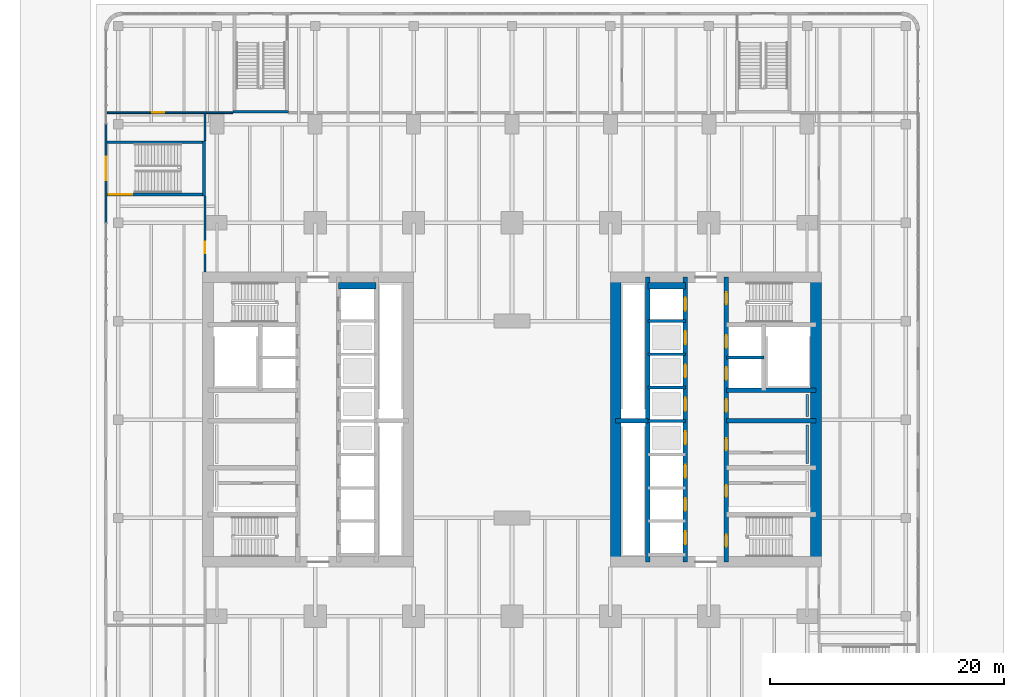
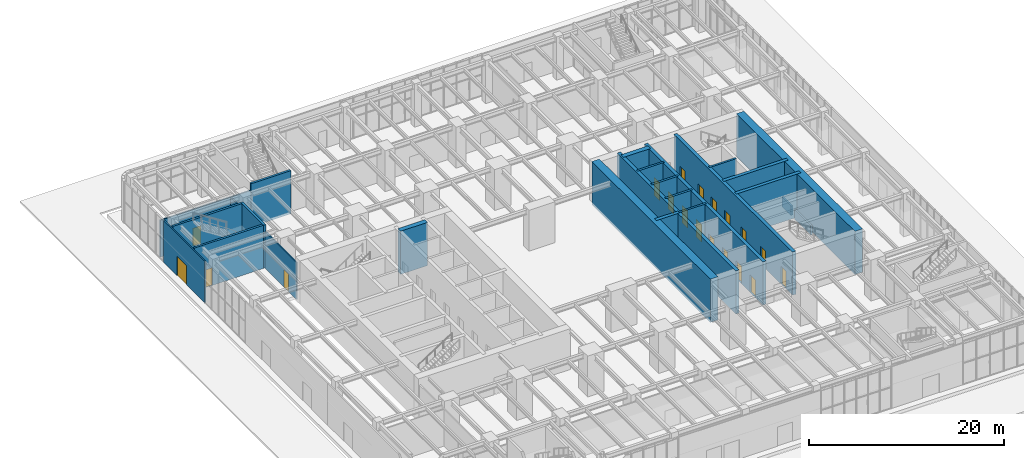
# One storey, part 20 of 31: 25 walls, 19 doors, 19 openings.
"""IFC4 building model written with IfcOpenShell, lengths in metres."""

from ifc_helpers import new_model, si_unit, direction, frame, frame_2d, origin, place, context, subcontext, project, spatial, rectangle, extrude, material, layer, layer_set, type_object, element, fill, save


model = new_model("IFC4")

# Units and contexts
model_context = context("Model", 3, precision=1e-05, world=origin(), true_north=direction((0.0, 1.0)))
body_context = subcontext(model_context, "Body", "Model", "MODEL_VIEW")
ifc_project = project(units=[si_unit("LENGTHUNIT", "METRE"), si_unit("AREAUNIT", "SQUARE_METRE"), si_unit("VOLUMEUNIT", "CUBIC_METRE"), si_unit("PLANEANGLEUNIT", "RADIAN"), si_unit("MASSUNIT", "GRAM", prefix="KILO")], contexts=[model_context])

# Site, building, storey
site_placement = place(None, origin())
site = spatial("IfcSite", under=ifc_project, at=site_placement, CompositionType="ELEMENT")
building_placement = place(site_placement, origin())
building = spatial("IfcBuilding", under=site, at=building_placement, Name="Claustro Exchange Tower", CompositionType="ELEMENT")
storey_placement = place(building_placement, origin())
storey = spatial("IfcBuildingStorey", under=building, at=storey_placement, Name="L00", CompositionType="ELEMENT", Elevation=0.0)

# Wall, opening, door
ifc_material_1 = material(Name="Aluminium frame, clear double glazing", Category="aluminium")
ifc_layer_1 = layer(ifc_material_1, 0.14990234375)
ifc_layer_set_1 = layer_set([ifc_layer_1], Name="Aluminium frame, clear double glazing")
wall_type_1 = type_object("IfcWallType", Name="GS1 150 glazed entrance screen", PredefinedType="SOLIDWALL", material=ifc_layer_set_1)
wall_1_placement = place(storey_placement, frame((-9.449951171875, 42.0, 0.0), z_axis=(0.0, 0.0, 1.0), x_axis=(0.0, 1.0, 0.0)))
wall_1 = element("IfcWall", 1, at=wall_1_placement, inside=storey, type_object=wall_type_1, Name="Entrance screen GS1 L00", PredefinedType="SOLIDWALL", context=body_context, shape_type="SweptSolid", body=[
    extrude(rectangle(XDim=8.39990234375, YDim=0.14990234375, at=frame_2d((4.199951171875, 0.0))), origin(), (0.0, 0.0, 1.0), 5.199951171875),
])
opening_1_placement = place(wall_1_placement, frame((3.64990234375, 0.0, 0.0)))
opening_1 = element("IfcOpeningElement", 2, at=opening_1_placement, cuts=wall_1, Name="Opening DE5", PredefinedType="OPENING", context=body_context, shape_type="SweptSolid", body=[
    extrude(rectangle(XDim=2.0, YDim=2.39990234375, at=frame_2d((1.0, 1.199951171875))), frame((0.0, 0.0849609375, 0.0), z_axis=(0.0, -1.0, 0.0), x_axis=(1.0, 0.0, 0.0)), (0.0, 0.0, 1.0), 0.169921875),
])
ifc_material_2 = material(Name="Steel door, painted", Category="steel")
door_type_1 = type_object("IfcDoorType", Name="DE5 2000 x 2400 external final exit double door", OperationType="DOUBLE_DOOR_SINGLE_SWING", PredefinedType="DOOR", material=ifc_material_2)
door_1_placement = place(opening_1_placement, origin())
door_1 = element("IfcDoor", 3, at=door_1_placement, inside=storey, type_object=door_type_1, Name="External door DE5 L00", OperationType="DOUBLE_DOOR_SINGLE_SWING", OverallHeight=2.39990234375, OverallWidth=2.0, PredefinedType="DOOR", context=body_context, shape_type="SweptSolid", body=[
    extrude(rectangle(XDim=2.0, YDim=2.39990234375, at=frame_2d((1.0, 1.199951171875))), frame((0.0, 0.02490234375, 0.0), z_axis=(0.0, -1.0, 0.0), x_axis=(1.0, 0.0, 0.0)), (0.0, 0.0, 1.0), 0.050048828125),
])
fill(opening_1, door_1)

ifc_material_3 = material(Name="Gypsum board on steel studs", Category="steel")
ifc_layer_2 = layer(ifc_material_3, 0.14990234375)
ifc_layer_set_2 = layer_set([ifc_layer_2], Name="Gypsum board on steel studs")
wall_type_2 = type_object("IfcWallType", Name="P1 150 plasterboard partition", PredefinedType="PARTITIONING", material=ifc_layer_set_2)
wall_2_placement = place(storey_placement, frame((-9.35009765625, 51.39990234375, 0.0), z_axis=(0.0, 0.0, 1.0), x_axis=(1.0, 0.0, 0.0)))
wall_2 = element("IfcWall", 4, at=wall_2_placement, inside=storey, type_object=wall_type_2, Name="Partition P1 L00", PredefinedType="PARTITIONING", context=body_context, shape_type="SweptSolid", body=[
    extrude(rectangle(XDim=10.72998046875, YDim=0.14990234375, at=frame_2d((5.364990234375, 0.0))), origin(), (0.0, 0.0, 1.0), 4.60009765625),
])
opening_2_placement = place(wall_2_placement, frame((3.85009765625, 0.0, 0.0)))
opening_2 = element("IfcOpeningElement", 5, at=opening_2_placement, cuts=wall_2, Name="Opening D1", PredefinedType="OPENING", context=body_context, shape_type="SweptSolid", body=[
    extrude(rectangle(XDim=1.0, YDim=2.199951171875, at=frame_2d((0.5, 1.10009765625))), frame((0.0, 0.0849609375, 0.0), z_axis=(0.0, -1.0, 0.0), x_axis=(1.0, 0.0, 0.0)), (0.0, 0.0, 1.0), 0.169921875),
])
ifc_material_4 = material(Name="Timber door, oak veneer", Category="wood")
door_type_2 = type_object("IfcDoorType", Name="D1 1000 x 2200 single door", OperationType="SINGLE_SWING_LEFT", PredefinedType="DOOR", material=ifc_material_4)
door_2_placement = place(opening_2_placement, origin())
door_2 = element("IfcDoor", 6, at=door_2_placement, inside=storey, type_object=door_type_2, Name="Door D1 L00", OperationType="SINGLE_SWING_LEFT", OverallHeight=2.199951171875, OverallWidth=1.0, PredefinedType="DOOR", context=body_context, shape_type="SweptSolid", body=[
    extrude(rectangle(XDim=1.0, YDim=2.199951171875, at=frame_2d((0.5, 1.10009765625))), frame((0.0, 0.02490234375, 0.0), z_axis=(0.0, -1.0, 0.0), x_axis=(1.0, 0.0, 0.0)), (0.0, 0.0, 1.0), 0.050048828125),
])
fill(opening_2, door_2)

wall_3_placement = place(storey_placement, frame((-1.0, 37.800048828125, 0.0), z_axis=(0.0, 0.0, 1.0), x_axis=(0.0, 1.0, 0.0)))
wall_3 = element("IfcWall", 7, at=wall_3_placement, inside=storey, type_object=wall_type_2, Name="Partition P1 L00", PredefinedType="PARTITIONING", context=body_context, shape_type="SweptSolid", body=[
    extrude(rectangle(XDim=6.47998046875, YDim=0.14990234375, at=frame_2d((3.239990234375, 0.0))), origin(), (0.0, 0.0, 1.0), 4.60009765625),
])
opening_3_placement = place(wall_3_placement, frame((1.60009765625, 0.0, 0.0)))
opening_3 = element("IfcOpeningElement", 8, at=opening_3_placement, cuts=wall_3, Name="Opening D1", PredefinedType="OPENING", context=body_context, shape_type="SweptSolid", body=[
    extrude(rectangle(XDim=1.0, YDim=2.199951171875, at=frame_2d((0.5, 1.10009765625))), frame((0.0, 0.0849609375, 0.0), z_axis=(0.0, -1.0, 0.0), x_axis=(1.0, 0.0, 0.0)), (0.0, 0.0, 1.0), 0.169921875),
])
door_3_placement = place(opening_3_placement, frame((1.0, 0.0, 0.0), z_axis=(0.0, 0.0, 1.0), x_axis=(-1.0, 0.0, 0.0)))
door_3 = element("IfcDoor", 9, at=door_3_placement, inside=storey, type_object=door_type_2, Name="Door D1 L00", OperationType="SINGLE_SWING_RIGHT", OverallHeight=2.199951171875, OverallWidth=1.0, PredefinedType="DOOR", context=body_context, shape_type="SweptSolid", body=[
    extrude(rectangle(XDim=1.0, YDim=2.199951171875, at=frame_2d((0.5, 1.10009765625))), frame((0.0, 0.02490234375, 0.0), z_axis=(0.0, -1.0, 0.0), x_axis=(1.0, 0.0, 0.0)), (0.0, 0.0, 1.0), 0.050048828125),
])
fill(opening_3, door_3)

# Walls
wall_4_placement = place(storey_placement, frame((-1.0, 49.02001953125, 0.0), z_axis=(0.0, 0.0, 1.0), x_axis=(0.0, 1.0, 0.0)))
element("IfcWall", 10, at=wall_4_placement, inside=storey, type_object=wall_type_2, Name="Partition P1 L00", PredefinedType="PARTITIONING", context=body_context, shape_type="SweptSolid", body=[
    extrude(rectangle(XDim=2.305908203125, YDim=0.14990234375, at=frame_2d((1.15283203125, 0.0))), origin(), (0.0, 0.0, 1.0), 4.60009765625),
])
ifc_material_5 = material(Name="Gypsum board on steel studs, tiled", Category="steel")
ifc_layer_3 = layer(ifc_material_5, 0.199951171875)
ifc_layer_set_3 = layer_set([ifc_layer_3], Name="Gypsum board on steel studs, tiled")
wall_type_3 = type_object("IfcWallType", Name="PW1 200 WC duct wall", PredefinedType="PLUMBINGWALL", material=ifc_layer_set_3)
wall_5_placement = place(storey_placement, frame((50.39990234375, 21.449951171875, 0.0), z_axis=(0.0, 0.0, 1.0), x_axis=(0.0, 1.0, 0.0)))
element("IfcWall", 11, at=wall_5_placement, inside=storey, type_object=wall_type_3, Name="WC duct wall PW1 L00", PredefinedType="PLUMBINGWALL", context=body_context, shape_type="SweptSolid", body=[
    extrude(rectangle(XDim=3.300048828125, YDim=0.199951171875, at=frame_2d((1.64990234375, 0.0))), origin(), (0.0, 0.0, 1.0), 1.199951171875),
])
wall_6_placement = place(storey_placement, frame((50.39990234375, 25.449951171875, 0.0), z_axis=(0.0, 0.0, 1.0), x_axis=(0.0, 1.0, 0.0)))
element("IfcWall", 12, at=wall_6_placement, inside=storey, type_object=wall_type_3, Name="WC duct wall PW1 L00", PredefinedType="PLUMBINGWALL", context=body_context, shape_type="SweptSolid", body=[
    extrude(rectangle(XDim=1.900146484375, YDim=0.199951171875, at=frame_2d((0.9501953125, 0.0))), origin(), (0.0, 0.0, 1.0), 1.199951171875),
])
ifc_material_6 = material(Name="Concrete HA-70 (C70/85)", Category="concrete")
ifc_layer_4 = layer(ifc_material_6, 0.89990234375)
ifc_layer_set_4 = layer_set([ifc_layer_4], Name="Concrete HA-70 (C70/85)")
wall_type_4 = type_object("IfcWallType", Name="SW1X 900 exposed core shear wall, board-marked face", PredefinedType="SHEAR", material=ifc_layer_set_4)
for number, where, z_axis, x_axis, name in (
    (13, (34.050048828125, 13.050048828125, 0.0), (0.0, 0.0, 1.0), (0.0, 1.0, 0.0), "Core wall SW1X E core W face L00"),
    (14, (51.14990234375, 13.050048828125, 0.0), (0.0, 0.0, 1.0), (0.0, 1.0, 0.0), "Core wall SW1X E core E face L00"),
):
    element("IfcWall", number, at=place(storey_placement, frame(where, z_axis=z_axis, x_axis=x_axis)), inside=storey, type_object=wall_type_4, Name=name, PredefinedType="SHEAR", context=body_context, shape_type="SweptSolid", body=[
        extrude(rectangle(XDim=24.300048828125, YDim=0.89990234375, at=frame_2d((12.14990234375, 0.0))), origin(), (0.0, 0.0, 1.0), 5.39990234375),
    ])

# Wall, openings, doors
ifc_material_7 = material(Name="Concrete HA-50 (C50/60)", Category="concrete")
ifc_layer_5 = layer(ifc_material_7, 0.39990234375)
ifc_layer_set_5 = layer_set([ifc_layer_5], Name="Concrete HA-50 (C50/60)")
wall_type_5 = type_object("IfcWallType", Name="SW4 400 internal core wall", PredefinedType="SHEAR", material=ifc_layer_set_5)
wall_7_placement = place(storey_placement, frame((43.5, 13.050048828125, 0.0), z_axis=(0.0, 0.0, 1.0), x_axis=(0.0, 1.0, 0.0)))
wall_7 = element("IfcWall", 15, at=wall_7_placement, inside=storey, type_object=wall_type_5, Name="Internal core wall SW4 E core L00", PredefinedType="SHEAR", context=body_context, shape_type="SweptSolid", body=[
    extrude(rectangle(XDim=24.300048828125, YDim=0.39990234375, at=frame_2d((12.14990234375, 0.0))), origin(), (0.0, 0.0, 1.0), 5.39990234375),
])
opening_4_placement = place(wall_7_placement, frame((1.300048828125, 0.0, 0.0)))
opening_4 = element("IfcOpeningElement", 16, at=opening_4_placement, cuts=wall_7, Name="Opening D4", PredefinedType="OPENING", context=body_context, shape_type="SweptSolid", body=[
    extrude(rectangle(XDim=1.0, YDim=2.199951171875, at=frame_2d((0.5, 1.10009765625))), frame((0.0, 0.2099609375, 0.0), z_axis=(0.0, -1.0, 0.0), x_axis=(1.0, 0.0, 0.0)), (0.0, 0.0, 1.0), 0.419921875),
])
opening_5_placement = place(wall_7_placement, frame((22.0, 0.0, 0.0)))
opening_5 = element("IfcOpeningElement", 17, at=opening_5_placement, cuts=wall_7, Name="Opening D4", PredefinedType="OPENING", context=body_context, shape_type="SweptSolid", body=[
    extrude(rectangle(XDim=1.0, YDim=2.199951171875, at=frame_2d((0.5, 1.10009765625))), frame((0.0, 0.2099609375, 0.0), z_axis=(0.0, -1.0, 0.0), x_axis=(1.0, 0.0, 0.0)), (0.0, 0.0, 1.0), 0.419921875),
])
opening_6_placement = place(wall_7_placement, frame((5.550048828125, 0.0, 0.0)))
opening_6 = element("IfcOpeningElement", 18, at=opening_6_placement, cuts=wall_7, Name="Opening D1", PredefinedType="OPENING", context=body_context, shape_type="SweptSolid", body=[
    extrude(rectangle(XDim=1.0, YDim=2.199951171875, at=frame_2d((0.5, 1.10009765625))), frame((0.0, 0.2099609375, 0.0), z_axis=(0.0, -1.0, 0.0), x_axis=(1.0, 0.0, 0.0)), (0.0, 0.0, 1.0), 0.419921875),
])
opening_7_placement = place(wall_7_placement, frame((9.550048828125, 0.0, 0.0)))
opening_7 = element("IfcOpeningElement", 19, at=opening_7_placement, cuts=wall_7, Name="Opening D1", PredefinedType="OPENING", context=body_context, shape_type="SweptSolid", body=[
    extrude(rectangle(XDim=1.0, YDim=2.199951171875, at=frame_2d((0.5, 1.10009765625))), frame((0.0, 0.2099609375, 0.0), z_axis=(0.0, -1.0, 0.0), x_axis=(1.0, 0.0, 0.0)), (0.0, 0.0, 1.0), 0.419921875),
])
opening_8_placement = place(wall_7_placement, frame((12.800048828125, 0.0, 0.0)))
opening_8 = element("IfcOpeningElement", 20, at=opening_8_placement, cuts=wall_7, Name="Opening D10", PredefinedType="OPENING", context=body_context, shape_type="SweptSolid", body=[
    extrude(rectangle(XDim=1.10009765625, YDim=2.199951171875, at=frame_2d((0.550048828125, 1.10009765625))), frame((0.0, 0.2099609375, 0.0), z_axis=(0.0, -1.0, 0.0), x_axis=(1.0, 0.0, 0.0)), (0.0, 0.0, 1.0), 0.419921875),
])
opening_9_placement = place(wall_7_placement, frame((15.53759765625, 0.0, 0.0)))
opening_9 = element("IfcOpeningElement", 21, at=opening_9_placement, cuts=wall_7, Name="Opening LD", PredefinedType="OPENING", context=body_context, shape_type="SweptSolid", body=[
    extrude(rectangle(XDim=1.10009765625, YDim=2.199951171875, at=frame_2d((0.550048828125, 1.10009765625))), frame((0.0, 0.2099609375, 0.0), z_axis=(0.0, -1.0, 0.0), x_axis=(1.0, 0.0, 0.0)), (0.0, 0.0, 1.0), 0.419921875),
])
opening_10_placement = place(wall_7_placement, frame((18.262451171875, 0.0, 0.0)))
opening_10 = element("IfcOpeningElement", 22, at=opening_10_placement, cuts=wall_7, Name="Opening LD", PredefinedType="OPENING", context=body_context, shape_type="SweptSolid", body=[
    extrude(rectangle(XDim=1.10009765625, YDim=2.199951171875, at=frame_2d((0.550048828125, 1.10009765625))), frame((0.0, 0.2099609375, 0.0), z_axis=(0.0, -1.0, 0.0), x_axis=(1.0, 0.0, 0.0)), (0.0, 0.0, 1.0), 0.419921875),
])
door_4_placement = place(opening_6_placement, frame((1.0, 0.0, 0.0), z_axis=(0.0, 0.0, 1.0), x_axis=(-1.0, 0.0, 0.0)))
door_4 = element("IfcDoor", 23, at=door_4_placement, inside=storey, type_object=door_type_2, Name="Door D1 L00", OperationType="SINGLE_SWING_LEFT", OverallHeight=2.199951171875, OverallWidth=1.0, PredefinedType="DOOR", context=body_context, shape_type="SweptSolid", body=[
    extrude(rectangle(XDim=1.0, YDim=2.199951171875, at=frame_2d((0.5, 1.10009765625))), frame((0.0, 0.02490234375, 0.0), z_axis=(0.0, -1.0, 0.0), x_axis=(1.0, 0.0, 0.0)), (0.0, 0.0, 1.0), 0.050048828125),
])
fill(opening_6, door_4)
door_5_placement = place(opening_7_placement, frame((1.0, 0.0, 0.0), z_axis=(0.0, 0.0, 1.0), x_axis=(-1.0, 0.0, 0.0)))
door_5 = element("IfcDoor", 24, at=door_5_placement, inside=storey, type_object=door_type_2, Name="Door D1 L00", OperationType="SINGLE_SWING_RIGHT", OverallHeight=2.199951171875, OverallWidth=1.0, PredefinedType="DOOR", context=body_context, shape_type="SweptSolid", body=[
    extrude(rectangle(XDim=1.0, YDim=2.199951171875, at=frame_2d((0.5, 1.10009765625))), frame((0.0, 0.02490234375, 0.0), z_axis=(0.0, -1.0, 0.0), x_axis=(1.0, 0.0, 0.0)), (0.0, 0.0, 1.0), 0.050048828125),
])
fill(opening_7, door_5)
ifc_material_8 = material(Name="Timber door, oak veneer", Category="wood")
door_type_3 = type_object("IfcDoorType", Name="D10 1100 x 2200 accessible WC door", OperationType="SINGLE_SWING_LEFT", PredefinedType="DOOR", material=ifc_material_8)
door_6_placement = place(opening_8_placement, origin())
door_6 = element("IfcDoor", 25, at=door_6_placement, inside=storey, type_object=door_type_3, Name="Accessible WC door D10 L00", OperationType="SINGLE_SWING_RIGHT", OverallHeight=2.199951171875, OverallWidth=1.10009765625, PredefinedType="DOOR", context=body_context, shape_type="SweptSolid", body=[
    extrude(rectangle(XDim=1.10009765625, YDim=2.199951171875, at=frame_2d((0.550048828125, 1.10009765625))), frame((0.0, 0.02490234375, 0.0), z_axis=(0.0, -1.0, 0.0), x_axis=(1.0, 0.0, 0.0)), (0.0, 0.0, 1.0), 0.050048828125),
])
fill(opening_8, door_6)
ifc_material_9 = material(Name="Steel fire door, painted", Category="steel")
door_type_4 = type_object("IfcDoorType", Name="D4 1000 x 2200 fire-rated stair door", OperationType="SINGLE_SWING_LEFT", PredefinedType="DOOR", material=ifc_material_9)
door_7_placement = place(opening_4_placement, origin())
door_7 = element("IfcDoor", 26, at=door_7_placement, inside=storey, type_object=door_type_4, Name="Stair door D4 L00", OperationType="SINGLE_SWING_LEFT", OverallHeight=2.199951171875, OverallWidth=1.0, PredefinedType="DOOR", context=body_context, shape_type="SweptSolid", body=[
    extrude(rectangle(XDim=1.0, YDim=2.199951171875, at=frame_2d((0.5, 1.10009765625))), frame((0.0, 0.02490234375, 0.0), z_axis=(0.0, -1.0, 0.0), x_axis=(1.0, 0.0, 0.0)), (0.0, 0.0, 1.0), 0.050048828125),
])
fill(opening_4, door_7)
door_8_placement = place(opening_5_placement, origin())
door_8 = element("IfcDoor", 27, at=door_8_placement, inside=storey, type_object=door_type_4, Name="Stair door D4 L00", OperationType="SINGLE_SWING_RIGHT", OverallHeight=2.199951171875, OverallWidth=1.0, PredefinedType="DOOR", context=body_context, shape_type="SweptSolid", body=[
    extrude(rectangle(XDim=1.0, YDim=2.199951171875, at=frame_2d((0.5, 1.10009765625))), frame((0.0, 0.02490234375, 0.0), z_axis=(0.0, -1.0, 0.0), x_axis=(1.0, 0.0, 0.0)), (0.0, 0.0, 1.0), 0.050048828125),
])
fill(opening_5, door_8)
ifc_material_10 = material(Name="Stainless steel sliding door", Category="steel")
door_type_5 = type_object("IfcDoorType", Name="LD 1100 x 2200 lift landing door", OperationType="DOUBLE_DOOR_SLIDING", PredefinedType="DOOR", material=ifc_material_10)
door_9_placement = place(opening_9_placement, origin())
door_9 = element("IfcDoor", 28, at=door_9_placement, inside=storey, type_object=door_type_5, Name="Lift landing door LEE1 LD L00", OperationType="DOUBLE_DOOR_SLIDING", OverallHeight=2.199951171875, OverallWidth=1.10009765625, PredefinedType="DOOR", context=body_context, shape_type="SweptSolid", body=[
    extrude(rectangle(XDim=1.10009765625, YDim=2.199951171875, at=frame_2d((0.550048828125, 1.10009765625))), frame((0.0, 0.02490234375, 0.0), z_axis=(0.0, -1.0, 0.0), x_axis=(1.0, 0.0, 0.0)), (0.0, 0.0, 1.0), 0.050048828125),
])
fill(opening_9, door_9)
door_10_placement = place(opening_10_placement, origin())
door_10 = element("IfcDoor", 29, at=door_10_placement, inside=storey, type_object=door_type_5, Name="Lift landing door LEE2 LD L00", OperationType="DOUBLE_DOOR_SLIDING", OverallHeight=2.199951171875, OverallWidth=1.10009765625, PredefinedType="DOOR", context=body_context, shape_type="SweptSolid", body=[
    extrude(rectangle(XDim=1.10009765625, YDim=2.199951171875, at=frame_2d((0.550048828125, 1.10009765625))), frame((0.0, 0.02490234375, 0.0), z_axis=(0.0, -1.0, 0.0), x_axis=(1.0, 0.0, 0.0)), (0.0, 0.0, 1.0), 0.050048828125),
])
fill(opening_10, door_10)

wall_8_placement = place(storey_placement, frame((40.0, 13.050048828125, 0.0), z_axis=(0.0, 0.0, 1.0), x_axis=(0.0, 1.0, 0.0)))
wall_8 = element("IfcWall", 30, at=wall_8_placement, inside=storey, type_object=wall_type_5, Name="Internal core wall SW4 E core L00", PredefinedType="SHEAR", context=body_context, shape_type="SweptSolid", body=[
    extrude(rectangle(XDim=24.300048828125, YDim=0.39990234375, at=frame_2d((12.14990234375, 0.0))), origin(), (0.0, 0.0, 1.0), 5.39990234375),
])
opening_11_placement = place(wall_8_placement, frame((1.5, 0.0, 0.0)))
opening_11 = element("IfcOpeningElement", 31, at=opening_11_placement, cuts=wall_8, Name="Opening LD", PredefinedType="OPENING", context=body_context, shape_type="SweptSolid", body=[
    extrude(rectangle(XDim=1.10009765625, YDim=2.199951171875, at=frame_2d((0.550048828125, 1.10009765625))), frame((0.0, 0.2099609375, 0.0), z_axis=(0.0, -1.0, 0.0), x_axis=(1.0, 0.0, 0.0)), (0.0, 0.0, 1.0), 0.419921875),
])
opening_12_placement = place(wall_8_placement, frame((4.35009765625, 0.0, 0.0)))
opening_12 = element("IfcOpeningElement", 32, at=opening_12_placement, cuts=wall_8, Name="Opening LD", PredefinedType="OPENING", context=body_context, shape_type="SweptSolid", body=[
    extrude(rectangle(XDim=1.10009765625, YDim=2.199951171875, at=frame_2d((0.550048828125, 1.10009765625))), frame((0.0, 0.2099609375, 0.0), z_axis=(0.0, -1.0, 0.0), x_axis=(1.0, 0.0, 0.0)), (0.0, 0.0, 1.0), 0.419921875),
])
opening_13_placement = place(wall_8_placement, frame((7.199951171875, 0.0, 0.0)))
opening_13 = element("IfcOpeningElement", 33, at=opening_13_placement, cuts=wall_8, Name="Opening LD", PredefinedType="OPENING", context=body_context, shape_type="SweptSolid", body=[
    extrude(rectangle(XDim=1.10009765625, YDim=2.199951171875, at=frame_2d((0.550048828125, 1.10009765625))), frame((0.0, 0.2099609375, 0.0), z_axis=(0.0, -1.0, 0.0), x_axis=(1.0, 0.0, 0.0)), (0.0, 0.0, 1.0), 0.419921875),
])
opening_14_placement = place(wall_8_placement, frame((10.050048828125, 0.0, 0.0)))
opening_14 = element("IfcOpeningElement", 34, at=opening_14_placement, cuts=wall_8, Name="Opening LD", PredefinedType="OPENING", context=body_context, shape_type="SweptSolid", body=[
    extrude(rectangle(XDim=1.10009765625, YDim=2.199951171875, at=frame_2d((0.550048828125, 1.10009765625))), frame((0.0, 0.2099609375, 0.0), z_axis=(0.0, -1.0, 0.0), x_axis=(1.0, 0.0, 0.0)), (0.0, 0.0, 1.0), 0.419921875),
])
opening_15_placement = place(wall_8_placement, frame((12.89990234375, 0.0, 0.0)))
opening_15 = element("IfcOpeningElement", 35, at=opening_15_placement, cuts=wall_8, Name="Opening LD", PredefinedType="OPENING", context=body_context, shape_type="SweptSolid", body=[
    extrude(rectangle(XDim=1.10009765625, YDim=2.199951171875, at=frame_2d((0.550048828125, 1.10009765625))), frame((0.0, 0.2099609375, 0.0), z_axis=(0.0, -1.0, 0.0), x_axis=(1.0, 0.0, 0.0)), (0.0, 0.0, 1.0), 0.419921875),
])
opening_16_placement = place(wall_8_placement, frame((15.75, 0.0, 0.0)))
opening_16 = element("IfcOpeningElement", 36, at=opening_16_placement, cuts=wall_8, Name="Opening LD", PredefinedType="OPENING", context=body_context, shape_type="SweptSolid", body=[
    extrude(rectangle(XDim=1.10009765625, YDim=2.199951171875, at=frame_2d((0.550048828125, 1.10009765625))), frame((0.0, 0.2099609375, 0.0), z_axis=(0.0, -1.0, 0.0), x_axis=(1.0, 0.0, 0.0)), (0.0, 0.0, 1.0), 0.419921875),
])
opening_17_placement = place(wall_8_placement, frame((18.60009765625, 0.0, 0.0)))
opening_17 = element("IfcOpeningElement", 37, at=opening_17_placement, cuts=wall_8, Name="Opening LD", PredefinedType="OPENING", context=body_context, shape_type="SweptSolid", body=[
    extrude(rectangle(XDim=1.10009765625, YDim=2.199951171875, at=frame_2d((0.550048828125, 1.10009765625))), frame((0.0, 0.2099609375, 0.0), z_axis=(0.0, -1.0, 0.0), x_axis=(1.0, 0.0, 0.0)), (0.0, 0.0, 1.0), 0.419921875),
])
opening_18_placement = place(wall_8_placement, frame((21.449951171875, 0.0, 0.0)))
opening_18 = element("IfcOpeningElement", 38, at=opening_18_placement, cuts=wall_8, Name="Opening LD", PredefinedType="OPENING", context=body_context, shape_type="SweptSolid", body=[
    extrude(rectangle(XDim=1.10009765625, YDim=2.199951171875, at=frame_2d((0.550048828125, 1.10009765625))), frame((0.0, 0.2099609375, 0.0), z_axis=(0.0, -1.0, 0.0), x_axis=(1.0, 0.0, 0.0)), (0.0, 0.0, 1.0), 0.419921875),
])
door_11_placement = place(opening_11_placement, origin())
door_11 = element("IfcDoor", 39, at=door_11_placement, inside=storey, type_object=door_type_5, Name="Lift landing door LLE1 LD L00", OperationType="DOUBLE_DOOR_SLIDING", OverallHeight=2.199951171875, OverallWidth=1.10009765625, PredefinedType="DOOR", context=body_context, shape_type="SweptSolid", body=[
    extrude(rectangle(XDim=1.10009765625, YDim=2.199951171875, at=frame_2d((0.550048828125, 1.10009765625))), frame((0.0, 0.02490234375, 0.0), z_axis=(0.0, -1.0, 0.0), x_axis=(1.0, 0.0, 0.0)), (0.0, 0.0, 1.0), 0.050048828125),
])
fill(opening_11, door_11)
door_12_placement = place(opening_12_placement, origin())
door_12 = element("IfcDoor", 40, at=door_12_placement, inside=storey, type_object=door_type_5, Name="Lift landing door LLE2 LD L00", OperationType="DOUBLE_DOOR_SLIDING", OverallHeight=2.199951171875, OverallWidth=1.10009765625, PredefinedType="DOOR", context=body_context, shape_type="SweptSolid", body=[
    extrude(rectangle(XDim=1.10009765625, YDim=2.199951171875, at=frame_2d((0.550048828125, 1.10009765625))), frame((0.0, 0.02490234375, 0.0), z_axis=(0.0, -1.0, 0.0), x_axis=(1.0, 0.0, 0.0)), (0.0, 0.0, 1.0), 0.050048828125),
])
fill(opening_12, door_12)
door_13_placement = place(opening_13_placement, origin())
door_13 = element("IfcDoor", 41, at=door_13_placement, inside=storey, type_object=door_type_5, Name="Lift landing door LLE3 LD L00", OperationType="DOUBLE_DOOR_SLIDING", OverallHeight=2.199951171875, OverallWidth=1.10009765625, PredefinedType="DOOR", context=body_context, shape_type="SweptSolid", body=[
    extrude(rectangle(XDim=1.10009765625, YDim=2.199951171875, at=frame_2d((0.550048828125, 1.10009765625))), frame((0.0, 0.02490234375, 0.0), z_axis=(0.0, -1.0, 0.0), x_axis=(1.0, 0.0, 0.0)), (0.0, 0.0, 1.0), 0.050048828125),
])
fill(opening_13, door_13)
door_14_placement = place(opening_14_placement, origin())
door_14 = element("IfcDoor", 42, at=door_14_placement, inside=storey, type_object=door_type_5, Name="Lift landing door LME1 LD L00", OperationType="DOUBLE_DOOR_SLIDING", OverallHeight=2.199951171875, OverallWidth=1.10009765625, PredefinedType="DOOR", context=body_context, shape_type="SweptSolid", body=[
    extrude(rectangle(XDim=1.10009765625, YDim=2.199951171875, at=frame_2d((0.550048828125, 1.10009765625))), frame((0.0, 0.02490234375, 0.0), z_axis=(0.0, -1.0, 0.0), x_axis=(1.0, 0.0, 0.0)), (0.0, 0.0, 1.0), 0.050048828125),
])
fill(opening_14, door_14)
door_15_placement = place(opening_15_placement, origin())
door_15 = element("IfcDoor", 43, at=door_15_placement, inside=storey, type_object=door_type_5, Name="Lift landing door LME2 LD L00", OperationType="DOUBLE_DOOR_SLIDING", OverallHeight=2.199951171875, OverallWidth=1.10009765625, PredefinedType="DOOR", context=body_context, shape_type="SweptSolid", body=[
    extrude(rectangle(XDim=1.10009765625, YDim=2.199951171875, at=frame_2d((0.550048828125, 1.10009765625))), frame((0.0, 0.02490234375, 0.0), z_axis=(0.0, -1.0, 0.0), x_axis=(1.0, 0.0, 0.0)), (0.0, 0.0, 1.0), 0.050048828125),
])
fill(opening_15, door_15)
door_16_placement = place(opening_16_placement, origin())
door_16 = element("IfcDoor", 44, at=door_16_placement, inside=storey, type_object=door_type_5, Name="Lift landing door LHE1 LD L00", OperationType="DOUBLE_DOOR_SLIDING", OverallHeight=2.199951171875, OverallWidth=1.10009765625, PredefinedType="DOOR", context=body_context, shape_type="SweptSolid", body=[
    extrude(rectangle(XDim=1.10009765625, YDim=2.199951171875, at=frame_2d((0.550048828125, 1.10009765625))), frame((0.0, 0.02490234375, 0.0), z_axis=(0.0, -1.0, 0.0), x_axis=(1.0, 0.0, 0.0)), (0.0, 0.0, 1.0), 0.050048828125),
])
fill(opening_16, door_16)
door_17_placement = place(opening_17_placement, origin())
door_17 = element("IfcDoor", 45, at=door_17_placement, inside=storey, type_object=door_type_5, Name="Lift landing door LHE2 LD L00", OperationType="DOUBLE_DOOR_SLIDING", OverallHeight=2.199951171875, OverallWidth=1.10009765625, PredefinedType="DOOR", context=body_context, shape_type="SweptSolid", body=[
    extrude(rectangle(XDim=1.10009765625, YDim=2.199951171875, at=frame_2d((0.550048828125, 1.10009765625))), frame((0.0, 0.02490234375, 0.0), z_axis=(0.0, -1.0, 0.0), x_axis=(1.0, 0.0, 0.0)), (0.0, 0.0, 1.0), 0.050048828125),
])
fill(opening_17, door_17)
door_18_placement = place(opening_18_placement, origin())
door_18 = element("IfcDoor", 46, at=door_18_placement, inside=storey, type_object=door_type_5, Name="Lift landing door LSE1 LD L00", OperationType="DOUBLE_DOOR_SLIDING", OverallHeight=2.199951171875, OverallWidth=1.10009765625, PredefinedType="DOOR", context=body_context, shape_type="SweptSolid", body=[
    extrude(rectangle(XDim=1.10009765625, YDim=2.199951171875, at=frame_2d((0.550048828125, 1.10009765625))), frame((0.0, 0.02490234375, 0.0), z_axis=(0.0, -1.0, 0.0), x_axis=(1.0, 0.0, 0.0)), (0.0, 0.0, 1.0), 0.050048828125),
])
fill(opening_18, door_18)

# Walls
wall_9_placement = place(storey_placement, frame((36.800048828125, 13.050048828125, 0.0), z_axis=(0.0, 0.0, 1.0), x_axis=(0.0, 1.0, 0.0)))
element("IfcWall", 47, at=wall_9_placement, inside=storey, type_object=wall_type_5, Name="Internal core wall SW4 E core L00", PredefinedType="SHEAR", context=body_context, shape_type="SweptSolid", body=[
    extrude(rectangle(XDim=24.300048828125, YDim=0.39990234375, at=frame_2d((12.14990234375, 0.0))), origin(), (0.0, 0.0, 1.0), 5.39990234375),
])
for number, where, z_axis, x_axis, name in (
    (48, (51.14990234375, 25.10009765625, 0.0), (0.0, 0.0, 1.0), (-1.0, 0.0, 0.0), "Internal core wall SW4 E core L00"),
    (49, (51.14990234375, 27.699951171875, 0.0), (0.0, 0.0, 1.0), (-1.0, 0.0, 0.0), "Internal core wall SW4 E core L00"),
):
    element("IfcWall", number, at=place(storey_placement, frame(where, z_axis=z_axis, x_axis=x_axis)), inside=storey, type_object=wall_type_5, Name=name, PredefinedType="SHEAR", context=body_context, shape_type="SweptSolid", body=[
        extrude(rectangle(XDim=7.64990234375, YDim=0.39990234375, at=frame_2d((3.824951171875, 0.0))), origin(), (0.0, 0.0, 1.0), 5.39990234375),
    ])
wall_10_placement = place(storey_placement, frame((36.800048828125, 25.10009765625, 0.0), z_axis=(0.0, 0.0, 1.0), x_axis=(-1.0, 0.0, 0.0)))
element("IfcWall", 50, at=wall_10_placement, inside=storey, type_object=wall_type_5, Name="Internal core wall SW4 E core L00", PredefinedType="SHEAR", context=body_context, shape_type="SweptSolid", body=[
    extrude(rectangle(XDim=2.75, YDim=0.39990234375, at=frame_2d((1.375, 0.0))), origin(), (0.0, 0.0, 1.0), 5.39990234375),
])
ifc_material_11 = material(Name="Concrete HA-50 (C50/60)", Category="concrete")
ifc_layer_6 = layer(ifc_material_11, 0.25)
ifc_layer_set_6 = layer_set([ifc_layer_6], Name="Concrete HA-50 (C50/60)")
wall_type_6 = type_object("IfcWallType", Name="SW5 250 lift shaft divider wall", PredefinedType="SHEAR", material=ifc_layer_set_6)
for number, where, z_axis, x_axis, name in (
    (51, (46.699951171875, 30.5, 0.0), (0.0, 0.0, 1.0), (-1.0, 0.0, 0.0), "Lift shaft wall E core L00"),
    (52, (40.0, 25.074951171875, 0.0), (0.0, 0.0, 1.0), (-1.0, 0.0, 0.0), "Lift shaft wall E core L00"),
    (53, (40.0, 27.925048828125, 0.0), (0.0, 0.0, 1.0), (-1.0, 0.0, 0.0), "Lift shaft wall E core L00"),
    (54, (40.0, 30.77490234375, 0.0), (0.0, 0.0, 1.0), (-1.0, 0.0, 0.0), "Lift shaft wall E core L00"),
    (55, (40.0, 33.625, 0.0), (0.0, 0.0, 1.0), (-1.0, 0.0, 0.0), "Lift shaft wall E core L00"),
):
    element("IfcWall", number, at=place(storey_placement, frame(where, z_axis=z_axis, x_axis=x_axis)), inside=storey, type_object=wall_type_6, Name=name, PredefinedType="SHEAR", context=body_context, shape_type="SweptSolid", body=[
        extrude(rectangle(XDim=3.199951171875, YDim=0.25, at=frame_2d((1.60009765625, 0.0))), origin(), (0.0, 0.0, 1.0), 5.39990234375),
    ])
ifc_material_12 = material(Name="Concrete HA-50 (C50/60)", Category="concrete")
ifc_layer_7 = layer(ifc_material_12, 0.550048828125)
ifc_layer_set_7 = layer_set([ifc_layer_7], Name="Concrete HA-50 (C50/60)")
wall_type_7 = type_object("IfcWallType", Name="SW6 550 lift shaft end wall", PredefinedType="SHEAR", material=ifc_layer_set_7)
wall_11_placement = place(storey_placement, frame((10.39990234375, 36.625, 0.0), z_axis=(0.0, 0.0, 1.0), x_axis=(1.0, 0.0, 0.0)))
element("IfcWall", 56, at=wall_11_placement, inside=storey, type_object=wall_type_7, Name="Lift shaft wall W core L00", PredefinedType="SHEAR", context=body_context, shape_type="SweptSolid", body=[
    extrude(rectangle(XDim=3.2001953125, YDim=0.550048828125, at=frame_2d((1.60009765625, 0.0))), origin(), (0.0, 0.0, 1.0), 5.39990234375),
])
wall_12_placement = place(storey_placement, frame((40.0, 36.625, 0.0), z_axis=(0.0, 0.0, 1.0), x_axis=(-1.0, 0.0, 0.0)))
element("IfcWall", 57, at=wall_12_placement, inside=storey, type_object=wall_type_7, Name="Lift shaft wall E core L00", PredefinedType="SHEAR", context=body_context, shape_type="SweptSolid", body=[
    extrude(rectangle(XDim=3.199951171875, YDim=0.550048828125, at=frame_2d((1.60009765625, 0.0))), origin(), (0.0, 0.0, 1.0), 5.39990234375),
])
ifc_material_13 = material(Name="Concrete HA-40 (C40/50)", Category="concrete")
ifc_layer_8 = layer(ifc_material_13, 0.25)
ifc_layer_set_8 = layer_set([ifc_layer_8], Name="Concrete HA-40 (C40/50)")
wall_type_8 = type_object("IfcWallType", Name="SW7 250 reinforced concrete stair wall", PredefinedType="SOLIDWALL", material=ifc_layer_set_8)
wall_13_placement = place(storey_placement, frame((1.39990234375, 51.47509765625, 0.0), z_axis=(0.0, 0.0, 1.0), x_axis=(1.0, 0.0, 0.0)))
element("IfcWall", 58, at=wall_13_placement, inside=storey, type_object=wall_type_8, Name="Stair enclosure wall STP3 SW7 L00", PredefinedType="SOLIDWALL", context=body_context, shape_type="SweptSolid", body=[
    extrude(rectangle(XDim=4.7001953125, YDim=0.25, at=frame_2d((2.35009765625, 0.0))), origin(), (0.0, 0.0, 1.0), 5.39990234375),
])

# Wall, opening, door
wall_14_placement = place(storey_placement, frame((-9.3759765625, 44.425048828125, 0.0), z_axis=(0.0, 0.0, 1.0), x_axis=(1.0, 0.0, 0.0)))
wall_14 = element("IfcWall", 59, at=wall_14_placement, inside=storey, type_object=wall_type_8, Name="Stair enclosure wall STP5 SW7 L00", PredefinedType="SOLIDWALL", context=body_context, shape_type="SweptSolid", body=[
    extrude(rectangle(XDim=8.176025390625, YDim=0.25, at=frame_2d((4.087890625, 0.0))), origin(), (0.0, 0.0, 1.0), 5.39990234375),
])
opening_19_placement = place(wall_14_placement, frame((0.14990234375, 0.0, 0.0)))
opening_19 = element("IfcOpeningElement", 60, at=opening_19_placement, cuts=wall_14, Name="Opening D11", PredefinedType="OPENING", context=body_context, shape_type="SweptSolid", body=[
    extrude(rectangle(XDim=2.0, YDim=2.199951171875, at=frame_2d((1.0, 1.10009765625))), frame((0.0, 0.135009765625, 0.0), z_axis=(0.0, -1.0, 0.0), x_axis=(1.0, 0.0, 0.0)), (0.0, 0.0, 1.0), 0.27001953125),
])
ifc_material_14 = material(Name="Steel fire door, painted", Category="steel")
door_type_6 = type_object("IfcDoorType", Name="D11 2000 x 2200 fire-rated stair double door", OperationType="DOUBLE_DOOR_SINGLE_SWING", PredefinedType="DOOR", material=ifc_material_14)
door_19_placement = place(opening_19_placement, frame((2.0, 0.0, 0.0), z_axis=(0.0, 0.0, 1.0), x_axis=(-1.0, 0.0, 0.0)))
door_19 = element("IfcDoor", 61, at=door_19_placement, inside=storey, type_object=door_type_6, Name="Stair door STP5 D11 L00", OperationType="DOUBLE_DOOR_SINGLE_SWING", OverallHeight=2.199951171875, OverallWidth=2.0, PredefinedType="DOOR", context=body_context, shape_type="SweptSolid", body=[
    extrude(rectangle(XDim=2.0, YDim=2.199951171875, at=frame_2d((1.0, 1.10009765625))), frame((0.0, 0.02490234375, 0.0), z_axis=(0.0, -1.0, 0.0), x_axis=(1.0, 0.0, 0.0)), (0.0, 0.0, 1.0), 0.050048828125),
])
fill(opening_19, door_19)

# Walls
wall_15_placement = place(storey_placement, frame((-9.3759765625, 48.875, 0.0), z_axis=(0.0, 0.0, 1.0), x_axis=(1.0, 0.0, 0.0)))
element("IfcWall", 62, at=wall_15_placement, inside=storey, type_object=wall_type_8, Name="Stair enclosure wall STP5 SW7 L00", PredefinedType="SOLIDWALL", context=body_context, shape_type="SweptSolid", body=[
    extrude(rectangle(XDim=8.176025390625, YDim=0.25, at=frame_2d((4.087890625, 0.0))), origin(), (0.0, 0.0, 1.0), 5.39990234375),
])
wall_16_placement = place(storey_placement, frame((-1.074951171875, 44.300048828125, 0.0), z_axis=(0.0, 0.0, 1.0), x_axis=(0.0, 1.0, 0.0)))
element("IfcWall", 63, at=wall_16_placement, inside=storey, type_object=wall_type_8, Name="Stair enclosure wall STP5 SW7 L00", PredefinedType="SOLIDWALL", context=body_context, shape_type="SweptSolid", body=[
    extrude(rectangle(XDim=4.699951171875, YDim=0.25, at=frame_2d((2.35009765625, 0.0))), origin(), (0.0, 0.0, 1.0), 5.39990234375),
])

save(model, "model.ifc")
